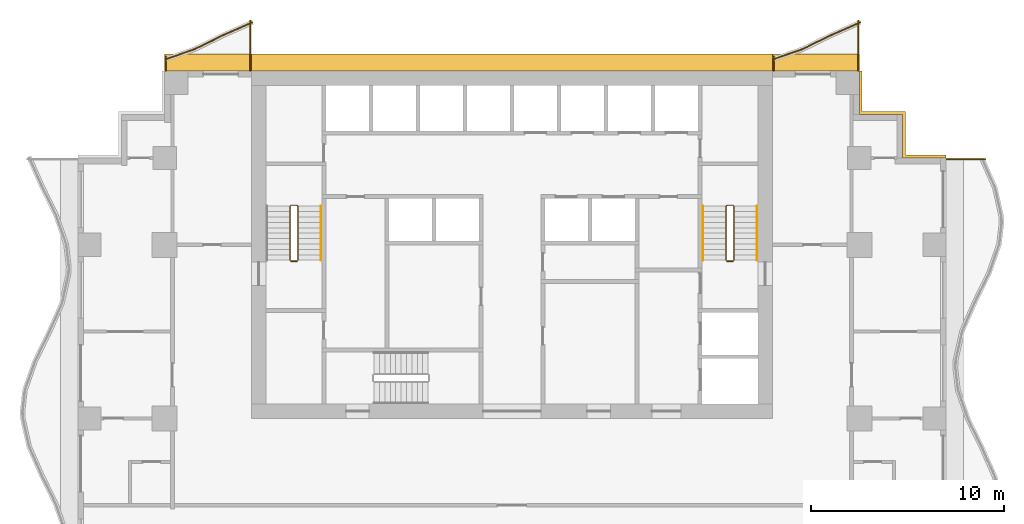
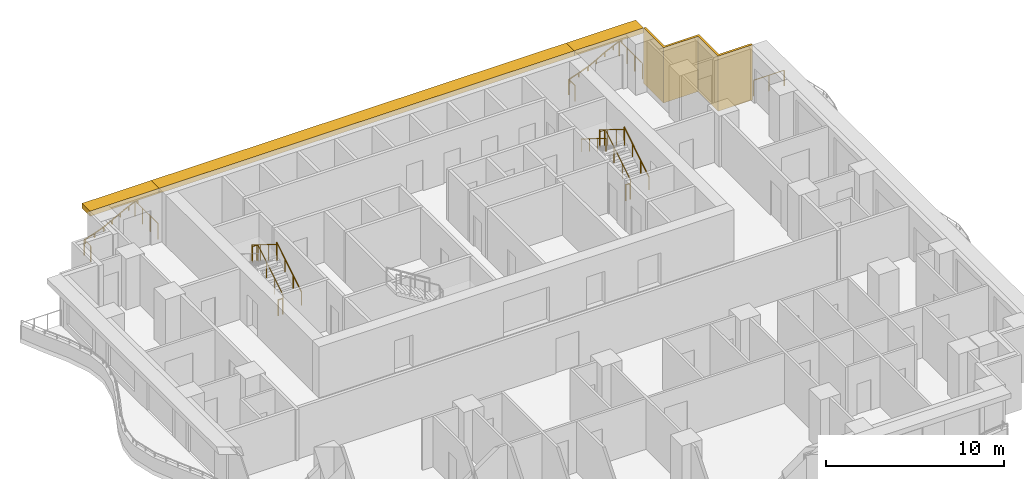
# One storey, part 10 of 10: 14 railings, 4 shading devices.
"""IFC4 building model written with IfcOpenShell, lengths in metres."""

from ifc_helpers import new_model, si_unit, direction, frame, origin, origin_2d, place, context, subcontext, project, spatial, polyline, rectangle, circle, outline, extrude, material, layer, layer_set, type_object, element, save


model = new_model("IFC4")

# Units and contexts
model_context = context("Model", 3, precision=1e-05, world=origin(), true_north=direction((0.0, 1.0)))
body_context = subcontext(model_context, "Body", "Model", "MODEL_VIEW")
ifc_project = project(units=[si_unit("LENGTHUNIT", "METRE"), si_unit("AREAUNIT", "SQUARE_METRE"), si_unit("VOLUMEUNIT", "CUBIC_METRE"), si_unit("PLANEANGLEUNIT", "RADIAN"), si_unit("MASSUNIT", "GRAM", prefix="KILO")], contexts=[model_context])

# Site, building, storey
site_placement = place(None, origin())
site = spatial("IfcSite", under=ifc_project, at=site_placement, CompositionType="ELEMENT")
building_placement = place(site_placement, origin())
building = spatial("IfcBuilding", under=site, at=building_placement, Name="Orbiselva Terraces", CompositionType="ELEMENT")
storey_placement = place(building_placement, frame((0.0, 0.0, 125.0)))
storey = spatial("IfcBuildingStorey", under=building, at=storey_placement, Name="L31", CompositionType="ELEMENT", Elevation=125.0)

# Railings
ifc_material_1 = material(Name="Stainless steel", Category="steel")
railing_type_1 = type_object("IfcRailingType", Name="CORE-GUARD-1100", PredefinedType="GUARDRAIL", material=ifc_material_1)
railing_1_placement = place(storey_placement, frame((-11.1, 12.7, 0.172727)))
element("IfcRailing", 1, at=railing_1_placement, inside=storey, type_object=railing_type_1, Name="L31 S1 stair guard 1", PredefinedType="GUARDRAIL", context=body_context, shape_type="SweptSolid", body=[
    extrude(circle(Radius=0.024, at=origin_2d()), frame((0.0, 0.0, 1.081), z_axis=(0.0, 0.851088519012, 0.52502222125), x_axis=(-1.0, 0.0, 0.0)), (0.0, 0.0, 1.0), 3.289905),
    extrude(circle(Radius=0.024, at=origin_2d()), frame((0.0, 2.8, 2.808273), z_axis=(-0.707106781187, 0.707106781187, 0.0), x_axis=(-0.707106781187, -0.707106781187, 0.0)), (0.0, 0.0, 1.0), 0.070711),
    extrude(circle(Radius=0.024, at=origin_2d()), frame((-0.05, 2.85, 2.808273), z_axis=(-1.0, 0.0, 0.0), x_axis=(0.0, -1.0, 0.0)), (0.0, 0.0, 1.0), 0.3),
    extrude(circle(Radius=0.024, at=origin_2d()), frame((-0.35, 2.85, 2.808273), z_axis=(-0.267894925557, -0.267894925557, 0.925453736133), x_axis=(0.707106781187, -0.707106781187, 0.0)), (0.0, 0.0, 1.0), 0.18664),
    extrude(circle(Radius=0.024, at=origin_2d()), frame((-0.4, 2.8, 2.981), z_axis=(0.0, -0.851088519012, 0.52502222125), x_axis=(1.0, 0.0, 0.0)), (0.0, 0.0, 1.0), 3.289905),
    extrude(circle(Radius=0.021, at=origin_2d()), origin(), (0.0, 0.0, 1.0), 1.057),
    extrude(circle(Radius=0.021, at=origin_2d()), frame((0.0, 0.933333, 0.575758)), (0.0, 0.0, 1.0), 1.057),
    extrude(circle(Radius=0.021, at=origin_2d()), frame((0.0, 1.866667, 1.151515)), (0.0, 0.0, 1.0), 1.057),
    extrude(circle(Radius=0.021, at=origin_2d()), frame((0.0, 2.8, 1.727273)), (0.0, 0.0, 1.0), 1.057),
    extrude(circle(Radius=0.021, at=origin_2d()), frame((-0.05, 2.85, 1.727273)), (0.0, 0.0, 1.0), 1.057),
    extrude(circle(Radius=0.021, at=origin_2d()), frame((-0.35, 2.85, 1.727273)), (0.0, 0.0, 1.0), 1.057),
    extrude(circle(Radius=0.021, at=origin_2d()), frame((-0.4, 2.8, 1.9)), (0.0, 0.0, 1.0), 1.057),
    extrude(circle(Radius=0.021, at=origin_2d()), frame((-0.4, 1.866667, 2.475758)), (0.0, 0.0, 1.0), 1.057),
    extrude(circle(Radius=0.021, at=origin_2d()), frame((-0.4, 0.933333, 3.051515)), (0.0, 0.0, 1.0), 1.057),
    extrude(circle(Radius=0.021, at=origin_2d()), frame((-0.4, 0.0, 3.627273)), (0.0, 0.0, 1.0), 1.057),
])
railing_2_placement = place(storey_placement, frame((-11.15, 12.65, 0.0)))
element("IfcRailing", 2, at=railing_2_placement, inside=storey, type_object=railing_type_1, Name="L31 S1 stair guard 2", PredefinedType="GUARDRAIL", context=body_context, shape_type="SweptSolid", body=[
    extrude(circle(Radius=0.024, at=origin_2d()), frame((0.0, 0.0, 1.081), z_axis=(-1.0, 0.0, 0.0), x_axis=(0.0, -1.0, 0.0)), (0.0, 0.0, 1.0), 0.3),
    extrude(circle(Radius=0.021, at=origin_2d()), origin(), (0.0, 0.0, 1.0), 1.057),
    extrude(circle(Radius=0.021, at=origin_2d()), frame((-0.3, 0.0, 0.0)), (0.0, 0.0, 1.0), 1.057),
])
railing_3_placement = place(storey_placement, frame((11.5, 12.7, 0.172727)))
element("IfcRailing", 3, at=railing_3_placement, inside=storey, type_object=railing_type_1, Name="L31 S2 stair guard 1", PredefinedType="GUARDRAIL", context=body_context, shape_type="SweptSolid", body=[
    extrude(circle(Radius=0.024, at=origin_2d()), frame((0.0, 0.0, 1.081), z_axis=(0.0, 0.851088519012, 0.52502222125), x_axis=(-1.0, 0.0, 0.0)), (0.0, 0.0, 1.0), 3.289905),
    extrude(circle(Radius=0.024, at=origin_2d()), frame((0.0, 2.8, 2.808273), z_axis=(-0.707106781187, 0.707106781187, 0.0), x_axis=(-0.707106781187, -0.707106781187, 0.0)), (0.0, 0.0, 1.0), 0.070711),
    extrude(circle(Radius=0.024, at=origin_2d()), frame((-0.05, 2.85, 2.808273), z_axis=(-1.0, 0.0, 0.0), x_axis=(0.0, -1.0, 0.0)), (0.0, 0.0, 1.0), 0.3),
    extrude(circle(Radius=0.024, at=origin_2d()), frame((-0.35, 2.85, 2.808273), z_axis=(-0.267894925557, -0.267894925557, 0.925453736133), x_axis=(0.707106781187, -0.707106781187, 0.0)), (0.0, 0.0, 1.0), 0.18664),
    extrude(circle(Radius=0.024, at=origin_2d()), frame((-0.4, 2.8, 2.981), z_axis=(0.0, -0.851088519012, 0.52502222125), x_axis=(1.0, 0.0, 0.0)), (0.0, 0.0, 1.0), 3.289905),
    extrude(circle(Radius=0.021, at=origin_2d()), origin(), (0.0, 0.0, 1.0), 1.057),
    extrude(circle(Radius=0.021, at=origin_2d()), frame((0.0, 0.933333, 0.575758)), (0.0, 0.0, 1.0), 1.057),
    extrude(circle(Radius=0.021, at=origin_2d()), frame((0.0, 1.866667, 1.151515)), (0.0, 0.0, 1.0), 1.057),
    extrude(circle(Radius=0.021, at=origin_2d()), frame((0.0, 2.8, 1.727273)), (0.0, 0.0, 1.0), 1.057),
    extrude(circle(Radius=0.021, at=origin_2d()), frame((-0.05, 2.85, 1.727273)), (0.0, 0.0, 1.0), 1.057),
    extrude(circle(Radius=0.021, at=origin_2d()), frame((-0.35, 2.85, 1.727273)), (0.0, 0.0, 1.0), 1.057),
    extrude(circle(Radius=0.021, at=origin_2d()), frame((-0.4, 2.8, 1.9)), (0.0, 0.0, 1.0), 1.057),
    extrude(circle(Radius=0.021, at=origin_2d()), frame((-0.4, 1.866667, 2.475758)), (0.0, 0.0, 1.0), 1.057),
    extrude(circle(Radius=0.021, at=origin_2d()), frame((-0.4, 0.933333, 3.051515)), (0.0, 0.0, 1.0), 1.057),
    extrude(circle(Radius=0.021, at=origin_2d()), frame((-0.4, 0.0, 3.627273)), (0.0, 0.0, 1.0), 1.057),
])
railing_4_placement = place(storey_placement, frame((11.45, 12.65, 0.0)))
element("IfcRailing", 4, at=railing_4_placement, inside=storey, type_object=railing_type_1, Name="L31 S2 stair guard 2", PredefinedType="GUARDRAIL", context=body_context, shape_type="SweptSolid", body=[
    extrude(circle(Radius=0.024, at=origin_2d()), frame((0.0, 0.0, 1.081), z_axis=(-1.0, 0.0, 0.0), x_axis=(0.0, -1.0, 0.0)), (0.0, 0.0, 1.0), 0.3),
    extrude(circle(Radius=0.021, at=origin_2d()), origin(), (0.0, 0.0, 1.0), 1.057),
    extrude(circle(Radius=0.021, at=origin_2d()), frame((-0.3, 0.0, 0.0)), (0.0, 0.0, 1.0), 1.057),
])
railing_type_2 = type_object("IfcRailingType", Name="CORE-HANDRAIL-900", PredefinedType="HANDRAIL", material=ifc_material_1)
for number, where, name in (
    (5, (-9.9, 12.7, 0.172727), "L31 S1 stair handrail 1"),
    (6, (12.7, 12.7, 0.172727), "L31 S2 stair handrail 1"),
):
    element("IfcRailing", number, at=place(storey_placement, frame(where)), inside=storey, type_object=railing_type_2, Name=name, PredefinedType="HANDRAIL", context=body_context, shape_type="SweptSolid", body=[
        extrude(circle(Radius=0.024, at=origin_2d()), frame((0.0, 0.0, 0.876), z_axis=(0.0, 0.851088519012, 0.52502222125), x_axis=(-1.0, 0.0, 0.0)), (0.0, 0.0, 1.0), 3.289905),
        extrude(circle(Radius=0.021, at=origin_2d()), origin(), (0.0, 0.0, 1.0), 0.852),
        extrude(circle(Radius=0.021, at=origin_2d()), frame((0.0, 0.933333, 0.575758)), (0.0, 0.0, 1.0), 0.852),
        extrude(circle(Radius=0.021, at=origin_2d()), frame((0.0, 1.866667, 1.151515)), (0.0, 0.0, 1.0), 0.852),
        extrude(circle(Radius=0.021, at=origin_2d()), frame((0.0, 2.8, 1.727273)), (0.0, 0.0, 1.0), 0.852),
    ])
railing_5_placement = place(storey_placement, frame((9.9, 15.5, 2.072727)))
element("IfcRailing", 7, at=railing_5_placement, inside=storey, type_object=railing_type_2, Name="L31 S2 stair handrail 2", PredefinedType="HANDRAIL", context=body_context, shape_type="SweptSolid", body=[
    extrude(circle(Radius=0.024, at=origin_2d()), frame((0.0, 0.0, 0.876), z_axis=(0.0, -0.851088519012, 0.52502222125), x_axis=(1.0, 0.0, 0.0)), (0.0, 0.0, 1.0), 3.289905),
    extrude(circle(Radius=0.021, at=origin_2d()), origin(), (0.0, 0.0, 1.0), 0.852),
    extrude(circle(Radius=0.021, at=origin_2d()), frame((0.0, -0.933333, 0.575758)), (0.0, 0.0, 1.0), 0.852),
    extrude(circle(Radius=0.021, at=origin_2d()), frame((0.0, -1.866667, 1.151515)), (0.0, 0.0, 1.0), 0.852),
    extrude(circle(Radius=0.021, at=origin_2d()), frame((0.0, -2.8, 1.727273)), (0.0, 0.0, 1.0), 0.852),
])
ifc_material_2 = material(Name="Bonded two-ply safety glass balustrade, stainless steel posts", Category="steel")
railing_type_3 = type_object("IfcRailingType", Name="ENV-BALUSTRADE-1200", PredefinedType="BALUSTRADE", material=ifc_material_2)
railing_6_placement = place(storey_placement, frame((18.050394, 25.034136, 0.9)))
element("IfcRailing", 8, at=railing_6_placement, inside=storey, type_object=railing_type_3, Name="Balcony balustrade L31 NE", PredefinedType="BALUSTRADE", context=body_context, shape_type="SweptSolid", body=[
    extrude(outline(polyline([(0.028868, 0.0), (0.014434, 0.025), (-0.014434, 0.025), (-0.028868, 0.0), (-0.014434, -0.025), (0.014434, -0.025), (0.028868, 0.0)])), frame((0.0, 0.0, 0.275), z_axis=(-0.915133498047, -0.403150940408, 0.0), x_axis=(0.403150940408, -0.915133498047, 0.0)), (0.0, 0.0, 1.0), 1.636648),
    extrude(outline(polyline([(0.028868, 0.0), (0.014434, 0.025), (-0.014434, 0.025), (-0.028868, 0.0), (-0.014434, -0.025), (0.014434, -0.025), (0.028868, 0.0)])), frame((-1.497751, -0.659816, 0.275), z_axis=(-0.898578870221, -0.438812048596, 0.0), x_axis=(0.438812048596, -0.898578870221, 0.0)), (0.0, 0.0, 1.0), 1.674225),
    extrude(outline(polyline([(0.028868, 0.0), (0.014434, 0.025), (-0.014434, 0.025), (-0.028868, 0.0), (-0.014434, -0.025), (0.014434, -0.025), (0.028868, 0.0)])), frame((-3.002174, -1.394486, 0.275), z_axis=(-0.943972257161, -0.330024813779, 0.0), x_axis=(0.330024813779, -0.943972257161, 0.0)), (0.0, 0.0, 1.0), 1.59641),
    extrude(rectangle(XDim=0.05, YDim=0.05, at=origin_2d()), origin(), (0.0, 0.0, 1.0), 0.25),
    extrude(rectangle(XDim=0.05, YDim=0.05, at=origin_2d()), frame((-0.748876, -0.329908, 0.0)), (0.0, 0.0, 1.0), 0.25),
    extrude(rectangle(XDim=0.05, YDim=0.05, at=origin_2d()), frame((-1.497751, -0.659816, 0.0)), (0.0, 0.0, 1.0), 0.25),
    extrude(rectangle(XDim=0.05, YDim=0.05, at=origin_2d()), frame((-2.249963, -1.027151, 0.0)), (0.0, 0.0, 1.0), 0.25),
    extrude(rectangle(XDim=0.05, YDim=0.05, at=origin_2d()), frame((-3.002174, -1.394486, 0.0)), (0.0, 0.0, 1.0), 0.25),
    extrude(rectangle(XDim=0.05, YDim=0.05, at=origin_2d()), frame((-3.755658, -1.657914, 0.0)), (0.0, 0.0, 1.0), 0.25),
    extrude(rectangle(XDim=0.05, YDim=0.05, at=origin_2d()), frame((-4.509141, -1.921341, 0.0)), (0.0, 0.0, 1.0), 0.25),
])
railing_7_placement = place(storey_placement, frame((-13.449606, 25.034136, 0.9)))
element("IfcRailing", 9, at=railing_7_placement, inside=storey, type_object=railing_type_3, Name="Balcony balustrade L31 NW", PredefinedType="BALUSTRADE", context=body_context, shape_type="SweptSolid", body=[
    extrude(outline(polyline([(0.028868, 0.0), (0.014434, 0.025), (-0.014434, 0.025), (-0.028868, 0.0), (-0.014434, -0.025), (0.014434, -0.025), (0.028868, 0.0)])), frame((0.0, 0.0, 0.275), z_axis=(-0.915133498047, -0.403150940408, 0.0), x_axis=(0.403150940408, -0.915133498047, 0.0)), (0.0, 0.0, 1.0), 1.636648),
    extrude(outline(polyline([(0.028868, 0.0), (0.014434, 0.025), (-0.014434, 0.025), (-0.028868, 0.0), (-0.014434, -0.025), (0.014434, -0.025), (0.028868, 0.0)])), frame((-1.497751, -0.659816, 0.275), z_axis=(-0.898578870221, -0.438812048596, 0.0), x_axis=(0.438812048596, -0.898578870221, 0.0)), (0.0, 0.0, 1.0), 1.674225),
    extrude(outline(polyline([(0.028868, 0.0), (0.014434, 0.025), (-0.014434, 0.025), (-0.028868, 0.0), (-0.014434, -0.025), (0.014434, -0.025), (0.028868, 0.0)])), frame((-3.002174, -1.394486, 0.275), z_axis=(-0.943972257161, -0.330024813779, 0.0), x_axis=(0.330024813779, -0.943972257161, 0.0)), (0.0, 0.0, 1.0), 1.59641),
    extrude(rectangle(XDim=0.05, YDim=0.05, at=origin_2d()), origin(), (0.0, 0.0, 1.0), 0.25),
    extrude(rectangle(XDim=0.05, YDim=0.05, at=origin_2d()), frame((-0.748876, -0.329908, 0.0)), (0.0, 0.0, 1.0), 0.25),
    extrude(rectangle(XDim=0.05, YDim=0.05, at=origin_2d()), frame((-1.497751, -0.659816, 0.0)), (0.0, 0.0, 1.0), 0.25),
    extrude(rectangle(XDim=0.05, YDim=0.05, at=origin_2d()), frame((-2.249963, -1.027151, 0.0)), (0.0, 0.0, 1.0), 0.25),
    extrude(rectangle(XDim=0.05, YDim=0.05, at=origin_2d()), frame((-3.002174, -1.394486, 0.0)), (0.0, 0.0, 1.0), 0.25),
    extrude(rectangle(XDim=0.05, YDim=0.05, at=origin_2d()), frame((-3.755658, -1.657914, 0.0)), (0.0, 0.0, 1.0), 0.25),
    extrude(rectangle(XDim=0.05, YDim=0.05, at=origin_2d()), frame((-4.509141, -1.921341, 0.0)), (0.0, 0.0, 1.0), 0.25),
])
ifc_material_3 = material(Name="Stainless steel rail and posts", Category="steel")
railing_type_4 = type_object("IfcRailingType", Name="ENV-GUARD-1105", PredefinedType="BALUSTRADE", material=ifc_material_3)
railing_8_placement = place(storey_placement, frame((24.517447, 17.94, 0.0)))
element("IfcRailing", 10, at=railing_8_placement, inside=storey, type_object=railing_type_4, Name="Balcony end guard L31 E", PredefinedType="BALUSTRADE", context=body_context, shape_type="SweptSolid", body=[
    extrude(outline(polyline([(0.028868, 0.0), (0.014434, 0.025), (-0.014434, 0.025), (-0.028868, 0.0), (-0.014434, -0.025), (0.014434, -0.025), (0.028868, 0.0)])), frame((0.0, 0.0, 1.08), z_axis=(-1.0, 0.0, 0.0), x_axis=(0.0, -1.0, 0.0)), (0.0, 0.0, 1.0), 1.992447),
    extrude(rectangle(XDim=0.05, YDim=0.05, at=origin_2d()), origin(), (0.0, 0.0, 1.0), 1.055),
    extrude(rectangle(XDim=0.05, YDim=0.05, at=origin_2d()), frame((-0.996224, 0.0, 0.0)), (0.0, 0.0, 1.0), 1.055),
    extrude(rectangle(XDim=0.05, YDim=0.05, at=origin_2d()), frame((-1.992447, 0.0, 0.0)), (0.0, 0.0, 1.0), 1.055),
])
railing_9_placement = place(storey_placement, frame((17.94, 25.126937, 0.0)))
element("IfcRailing", 11, at=railing_9_placement, inside=storey, type_object=railing_type_4, Name="Balcony end guard L31 NE", PredefinedType="BALUSTRADE", context=body_context, shape_type="SweptSolid", body=[
    extrude(outline(polyline([(0.028868, 0.0), (0.014434, 0.025), (-0.014434, 0.025), (-0.028868, 0.0), (-0.014434, -0.025), (0.014434, -0.025), (0.028868, 0.0)])), frame((0.0, 0.0, 1.08), z_axis=(0.0, -1.0, 0.0), x_axis=(1.0, 0.0, 0.0)), (0.0, 0.0, 1.0), 2.601937),
    extrude(rectangle(XDim=0.05, YDim=0.05, at=origin_2d()), origin(), (0.0, 0.0, 1.0), 1.055),
    extrude(rectangle(XDim=0.05, YDim=0.05, at=origin_2d()), frame((0.0, -0.867312, 0.0)), (0.0, 0.0, 1.0), 1.055),
    extrude(rectangle(XDim=0.05, YDim=0.05, at=origin_2d()), frame((0.0, -1.734625, 0.0)), (0.0, 0.0, 1.0), 1.055),
    extrude(rectangle(XDim=0.05, YDim=0.05, at=origin_2d()), frame((0.0, -2.601937, 0.0)), (0.0, 0.0, 1.0), 1.055),
])
railing_10_placement = place(storey_placement, frame((13.56, 23.24482, 0.0)))
element("IfcRailing", 12, at=railing_10_placement, inside=storey, type_object=railing_type_4, Name="Balcony end guard L31 NE", PredefinedType="BALUSTRADE", context=body_context, shape_type="SweptSolid", body=[
    extrude(outline(polyline([(0.028868, 0.0), (0.014434, 0.025), (-0.014434, 0.025), (-0.028868, 0.0), (-0.014434, -0.025), (0.014434, -0.025), (0.028868, 0.0)])), frame((0.0, 0.0, 1.08), z_axis=(0.0, -1.0, 0.0), x_axis=(1.0, 0.0, 0.0)), (0.0, 0.0, 1.0), 0.71982),
    extrude(rectangle(XDim=0.05, YDim=0.05, at=origin_2d()), origin(), (0.0, 0.0, 1.0), 1.055),
    extrude(rectangle(XDim=0.05, YDim=0.05, at=origin_2d()), frame((0.0, -0.71982, 0.0)), (0.0, 0.0, 1.0), 1.055),
])
railing_11_placement = place(storey_placement, frame((-13.56, 25.126937, 0.0)))
element("IfcRailing", 13, at=railing_11_placement, inside=storey, type_object=railing_type_4, Name="Balcony end guard L31 NW", PredefinedType="BALUSTRADE", context=body_context, shape_type="SweptSolid", body=[
    extrude(outline(polyline([(0.028868, 0.0), (0.014434, 0.025), (-0.014434, 0.025), (-0.028868, 0.0), (-0.014434, -0.025), (0.014434, -0.025), (0.028868, 0.0)])), frame((0.0, 0.0, 1.08), z_axis=(0.0, -1.0, 0.0), x_axis=(1.0, 0.0, 0.0)), (0.0, 0.0, 1.0), 2.601937),
    extrude(rectangle(XDim=0.05, YDim=0.05, at=origin_2d()), origin(), (0.0, 0.0, 1.0), 1.055),
    extrude(rectangle(XDim=0.05, YDim=0.05, at=origin_2d()), frame((0.0, -0.867312, 0.0)), (0.0, 0.0, 1.0), 1.055),
    extrude(rectangle(XDim=0.05, YDim=0.05, at=origin_2d()), frame((0.0, -1.734625, 0.0)), (0.0, 0.0, 1.0), 1.055),
    extrude(rectangle(XDim=0.05, YDim=0.05, at=origin_2d()), frame((0.0, -2.601937, 0.0)), (0.0, 0.0, 1.0), 1.055),
])
railing_12_placement = place(storey_placement, frame((-17.94, 23.24482, 0.0)))
element("IfcRailing", 14, at=railing_12_placement, inside=storey, type_object=railing_type_4, Name="Balcony end guard L31 NW", PredefinedType="BALUSTRADE", context=body_context, shape_type="SweptSolid", body=[
    extrude(outline(polyline([(0.028868, 0.0), (0.014434, 0.025), (-0.014434, 0.025), (-0.028868, 0.0), (-0.014434, -0.025), (0.014434, -0.025), (0.028868, 0.0)])), frame((0.0, 0.0, 1.08), z_axis=(0.0, -1.0, 0.0), x_axis=(1.0, 0.0, 0.0)), (0.0, 0.0, 1.0), 0.71982),
    extrude(rectangle(XDim=0.05, YDim=0.05, at=origin_2d()), origin(), (0.0, 0.0, 1.0), 1.055),
    extrude(rectangle(XDim=0.05, YDim=0.05, at=origin_2d()), frame((0.0, -0.71982, 0.0)), (0.0, 0.0, 1.0), 1.055),
])

# Shading devices
ifc_material_4 = material(Name="Terracotta louvre screen", Category="masonry")
ifc_layer_1 = layer(ifc_material_4, 0.15)
ifc_layer_set_1 = layer_set([ifc_layer_1], Name="Terracotta louvre screen")
shading_device_type_1 = type_object("IfcShadingDeviceType", Name="ENV-SCREEN-150", PredefinedType="USERDEFINED", material=ifc_layer_set_1)
shading_device_1_placement = place(storey_placement, frame((0.0, 0.0, -0.3)))
element("IfcShadingDevice", 15, at=shading_device_1_placement, inside=storey, type_object=shading_device_type_1, Name="Louvre screen L31 NE", ObjectType="SCREEN", PredefinedType="USERDEFINED", context=body_context, shape_type="SweptSolid", body=[
    extrude(outline(polyline([(22.5, 18.15), (20.4, 18.15), (20.4, 20.4), (18.15, 20.4), (18.15, 22.5), (18.0, 22.5), (18.0, 20.25), (20.25, 20.25), (20.25, 18.0), (22.5, 18.0), (22.5, 18.15)])), origin(), (0.0, 0.0, 1.0), 3.8),
])
ifc_material_5 = material(Name="Terracotta baguette sunshade", Category="masonry")
ifc_layer_2 = layer(ifc_material_5, 0.35)
ifc_layer_set_2 = layer_set([ifc_layer_2], Name="Terracotta baguette sunshade")
shading_device_type_2 = type_object("IfcShadingDeviceType", Name="ENV-SUNSHADE-900x350", PredefinedType="USERDEFINED", material=ifc_layer_set_2)
shading_device_2_placement = place(storey_placement, frame((0.0, 0.0, 3.15)))
element("IfcShadingDevice", 16, at=shading_device_2_placement, inside=storey, type_object=shading_device_type_2, Name="Sunshade band L31 NE", ObjectType="SUNSHADE", PredefinedType="USERDEFINED", context=body_context, shape_type="SweptSolid", body=[
    extrude(outline(polyline([(18.0, 23.4), (13.5, 23.4), (13.5, 22.5), (18.0, 22.5), (18.0, 23.4)])), origin(), (0.0, 0.0, 1.0), 0.35),
])
shading_device_3_placement = place(storey_placement, frame((0.0, 0.0, 3.15)))
element("IfcShadingDevice", 17, at=shading_device_3_placement, inside=storey, type_object=shading_device_type_2, Name="Sunshade band L31 CORE NORTH", ObjectType="SUNSHADE", PredefinedType="USERDEFINED", context=body_context, shape_type="SweptSolid", body=[
    extrude(outline(polyline([(13.5, 23.4), (-13.5, 23.4), (-13.5, 22.5), (13.5, 22.5), (13.5, 23.4)])), origin(), (0.0, 0.0, 1.0), 0.35),
])
shading_device_4_placement = place(storey_placement, frame((0.0, 0.0, 3.15)))
element("IfcShadingDevice", 18, at=shading_device_4_placement, inside=storey, type_object=shading_device_type_2, Name="Sunshade band L31 NW", ObjectType="SUNSHADE", PredefinedType="USERDEFINED", context=body_context, shape_type="SweptSolid", body=[
    extrude(outline(polyline([(-13.5, 23.4), (-18.0, 23.4), (-18.0, 22.5), (-13.5, 22.5), (-13.5, 23.4)])), origin(), (0.0, 0.0, 1.0), 0.35),
])

save(model, "model.ifc")
